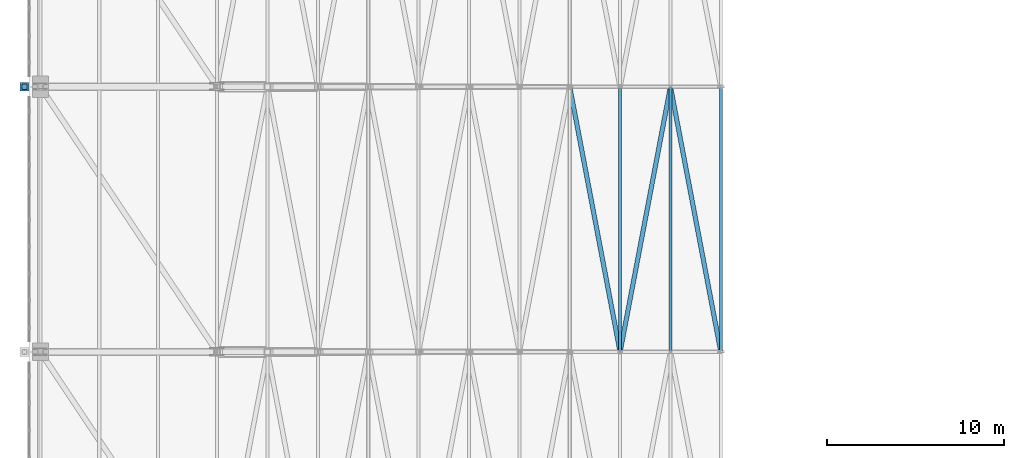
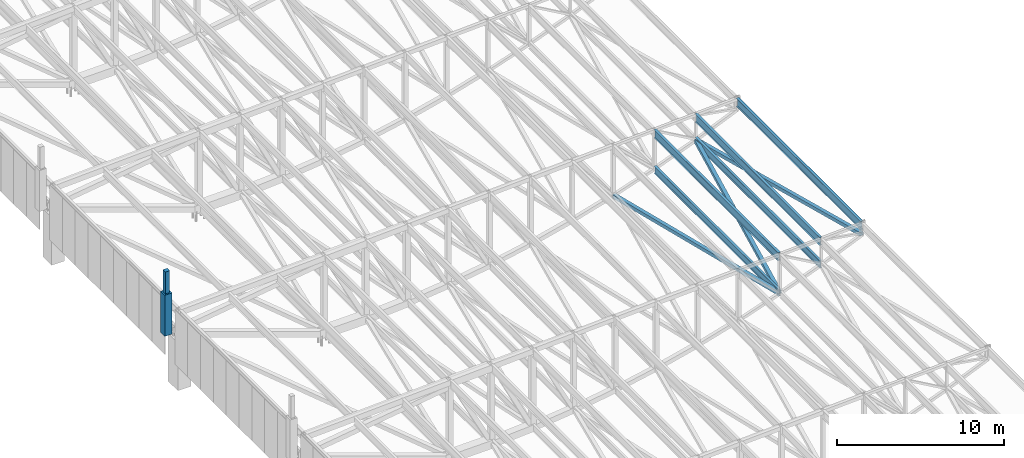
# One storey, part 35 of 278: 10 members.
"""IFC4 building model written with IfcOpenShell, lengths in metres."""

import ifcopenshell
import ifcopenshell.guid

model = None  # the IFC model being written
_history = None  # IfcOwnerHistory: only IFC2X3 demands one
_inside = {}  # id of a spatial element -> (the spatial element, [elements in it])
_under = {}  # id of a project, library or spatial element -> (it, [spatial elements below it])
_declared = {}  # id of a project -> (the project, [libraries it declares])
_typed = {}  # id of a type object -> (the type object, [elements of that type])
_made_of = {}  # id of a material, layer set ... -> (it, [elements and type objects made of it])


def new_model(schema):
    """Start an empty IFC model of exactly this schema.

    Asked for "IFC4X3", IfcOpenShell would pick the latest addendum, in which some entities
    have other attributes; the version numbers below select the first issue.
    IFC2X3 requires an IfcOwnerHistory on every rooted entity: one is made here for all.
    """
    global model, _history
    if schema == "IFC4X3":
        model = ifcopenshell.file(schema_version=(4, 3, 0, 0))
    else:
        model = ifcopenshell.file(schema=schema)
    _inside.clear()
    _under.clear()
    _declared.clear()
    _typed.clear()
    _made_of.clear()
    _history = None
    if model.schema == "IFC2X3":
        org = make("IfcOrganization", Name="unknown")
        user = make(
            "IfcPersonAndOrganization",
            ThePerson=make("IfcPerson", FamilyName="unknown"),
            TheOrganization=org,
        )
        app = make(
            "IfcApplication",
            ApplicationDeveloper=org,
            Version="unknown",
            ApplicationFullName="unknown",
            ApplicationIdentifier="unknown",
        )
        _history = make(
            "IfcOwnerHistory",
            OwningUser=user,
            OwningApplication=app,
            ChangeAction="ADDED",
            CreationDate=0,
        )
    return model


def make(cls, **values):
    """One entity of the class cls with the attributes given. An attribute that is None is left unset."""
    return model.create_entity(
        cls, **{name: value for name, value in values.items() if value is not None}
    )


def rooted(cls, **values):
    """An entity with a GlobalId (a new one), such as an element, a storey or a relation."""
    return make(cls, GlobalId=ifcopenshell.guid.new(), OwnerHistory=_history, **values)


def si_unit(unit_type, name, prefix=None):
    """IfcSIUnit, for example si_unit("LENGTHUNIT", "METRE", prefix="MILLI")."""
    return make("IfcSIUnit", UnitType=unit_type, Prefix=prefix, Name=name)


def assignment(units):
    """IfcUnitAssignment: the units of a project."""
    return None if units is None else make("IfcUnitAssignment", Units=units)


def point(xyz):
    """IfcCartesianPoint."""
    return None if xyz is None else make("IfcCartesianPoint", Coordinates=xyz)


def direction(xyz):
    """IfcDirection."""
    return None if xyz is None else make("IfcDirection", DirectionRatios=xyz)


def frame(location, z_axis=None, x_axis=None):
    """IfcAxis2Placement3D, a coordinate frame: its origin and axes. An axis left out is left unset."""
    return make(
        "IfcAxis2Placement3D",
        Location=point(location),
        Axis=direction(z_axis),
        RefDirection=direction(x_axis),
    )


def frame_2d(location, x_axis=None):
    """IfcAxis2Placement2D, a coordinate frame in the plane: its origin and x axis."""
    return make(
        "IfcAxis2Placement2D", Location=point(location), RefDirection=direction(x_axis)
    )


def origin():
    """The frame at (0, 0, 0) with its axes left unset."""
    return frame((0.0, 0.0, 0.0))


def origin_2d():
    """The frame at (0, 0) in the plane with its x axis left unset."""
    return frame_2d((0.0, 0.0))


def place(relative_to, where):
    """IfcLocalPlacement: puts the frame where relative to a parent placement (None: the world)."""
    return make(
        "IfcLocalPlacement", PlacementRelTo=relative_to, RelativePlacement=where
    )


def context(
    kind, dimensions, precision=None, world=None, true_north=None, identifier=None
):
    """IfcGeometricRepresentationContext, for example the 3D "Model" context."""
    return make(
        "IfcGeometricRepresentationContext",
        ContextIdentifier=identifier,
        ContextType=kind,
        CoordinateSpaceDimension=dimensions,
        Precision=precision,
        WorldCoordinateSystem=world,
        TrueNorth=true_north,
    )


def subcontext(parent, identifier, kind, view, scale=None):
    """IfcGeometricRepresentationSubContext, for example "Body" below "Model"."""
    return make(
        "IfcGeometricRepresentationSubContext",
        ContextIdentifier=identifier,
        ContextType=kind,
        ParentContext=parent,
        TargetScale=scale,
        TargetView=view,
    )


def project(units=None, contexts=None):
    """IfcProject with its units and contexts."""
    return rooted(
        "IfcProject",
        Name="project",
        RepresentationContexts=contexts,
        UnitsInContext=assignment(units),
    )


def spatial(cls, under=None, at=None, **own):
    """A site, building, storey or space (cls), placed at a placement, below another one or the project."""
    s = rooted(cls, ObjectPlacement=at, **own)
    if under is not None:
        _under.setdefault(under.id(), (under, []))[1].append(s)
    return s


def profile(cls, at=None, kind="AREA", **sizes):
    """A parametric profile (cls). Its sizes go by their IFC names, for example OverallWidth=200.0."""
    return make(cls, ProfileType=kind, Position=at, **sizes)


def rectangle(**sizes):
    """IfcRectangleProfileDef."""
    return profile("IfcRectangleProfileDef", **sizes)


def hollow_rectangle(**sizes):
    """IfcRectangleHollowProfileDef."""
    return profile("IfcRectangleHollowProfileDef", **sizes)


def i_section(**sizes):
    """IfcIShapeProfileDef."""
    return profile("IfcIShapeProfileDef", **sizes)


def extrude(swept, where, along, depth):
    """IfcExtrudedAreaSolid: the profile swept, set in the frame where, extruded along a direction by depth."""
    return make(
        "IfcExtrudedAreaSolid",
        SweptArea=swept,
        Position=where,
        ExtrudedDirection=direction(along),
        Depth=depth,
    )


def shape(context_of_items, identifier, shape_type, items):
    """IfcShapeRepresentation: the items that make up one representation, for example the "Body"."""
    return make(
        "IfcShapeRepresentation",
        ContextOfItems=context_of_items,
        RepresentationIdentifier=identifier,
        RepresentationType=shape_type,
        Items=items,
    )


def material(Name=None, Category=None):
    """IfcMaterial."""
    return make("IfcMaterial", Name=Name, Category=Category)


def material_profile(
    of_material, cross_section, Name=None, Category=None, Priority=None
):
    """IfcMaterialProfile: a cross section and its material."""
    return make(
        "IfcMaterialProfile",
        Name=Name,
        Material=of_material,
        Profile=cross_section,
        Priority=Priority,
        Category=Category,
    )


def profile_set(profiles, Name=None, composite=None):
    """IfcMaterialProfileSet."""
    return make(
        "IfcMaterialProfileSet",
        Name=Name,
        MaterialProfiles=profiles,
        CompositeProfile=composite,
    )


def made_of(thing, what):
    """Note that an element or type object is made of a material, layer set ...; save() writes the relation."""
    if what is not None:
        _made_of.setdefault(what.id(), (what, []))[1].append(thing)
    return thing


def type_object(cls, material=None, **own):
    """A type object (cls), such as IfcWallType, which elements share."""
    return made_of(rooted(cls, **own), material)


def element(
    cls,
    number,
    at=None,
    inside=None,
    cuts=None,
    type_object=None,
    material=None,
    context=None,
    identifier="Body",
    shape_type=None,
    held_by="IfcProductDefinitionShape",
    body=None,
    shapes=None,
    **own,
):
    """One element of the class cls, such as IfcWall. Its Tag is "e" and its number.

    at: its placement. inside: the storey or other place that contains it. cuts: it is an
    opening in that element (IfcRelVoidsElement). A single representation is given by context,
    identifier, shape_type and body (its items); several are given by shapes. held_by: the class
    of the entity that holds the representations. save() writes the other relations.
    """
    e = rooted(cls, Tag="e%d" % number, ObjectPlacement=at, **own)
    if body is not None:
        shapes = [shape(context, identifier, shape_type, body)]
    if shapes is not None:
        e.Representation = make(held_by, Representations=shapes)
    if inside is not None:
        _inside.setdefault(inside.id(), (inside, []))[1].append(e)
    if cuts is not None:
        rooted(
            "IfcRelVoidsElement", RelatingBuildingElement=cuts, RelatedOpeningElement=e
        )
    if type_object is not None:
        _typed.setdefault(type_object.id(), (type_object, []))[1].append(e)
    return made_of(e, material)


def aggregate(whole, parts):
    """IfcRelAggregates: a whole, such as a stair, and the parts it consists of."""
    return rooted("IfcRelAggregates", RelatingObject=whole, RelatedObjects=parts)


def save(model, path):
    """Write the relations noted so far, then the file.

    IfcRelAggregates (storeys below a building ...), IfcRelContainedInSpatialStructure (elements
    in a storey), IfcRelDefinesByType, IfcRelAssociatesMaterial and IfcRelDeclares: one each for
    every whole, place, type object, material and project.
    """
    for whole, parts in _under.values():
        aggregate(whole, parts)
    for where, things in _inside.values():
        rooted(
            "IfcRelContainedInSpatialStructure",
            RelatedElements=things,
            RelatingStructure=where,
        )
    for kind, things in _typed.values():
        rooted("IfcRelDefinesByType", RelatedObjects=things, RelatingType=kind)
    for what, things in _made_of.values():
        rooted("IfcRelAssociatesMaterial", RelatedObjects=things, RelatingMaterial=what)
    for by, libraries in _declared.values():
        rooted("IfcRelDeclares", RelatingContext=by, RelatedDefinitions=libraries)
    model.write(path)


model = new_model("IFC4")

# Units and contexts
model_context = context("Model", 3, precision=1e-05, world=origin(), true_north=direction((0.0, 1.0)))
body_context = subcontext(model_context, "Body", "Model", "MODEL_VIEW")
ifc_project = project(units=[si_unit("LENGTHUNIT", "METRE"), si_unit("AREAUNIT", "SQUARE_METRE"), si_unit("VOLUMEUNIT", "CUBIC_METRE"), si_unit("PLANEANGLEUNIT", "RADIAN"), si_unit("MASSUNIT", "GRAM", prefix="KILO")], contexts=[model_context])

# Site, building, storey
site_placement = place(None, origin())
site = spatial("IfcSite", under=ifc_project, at=site_placement, CompositionType="ELEMENT")
building_placement = place(site_placement, origin())
building = spatial("IfcBuilding", under=site, at=building_placement, Name="Ogive Plaza Stadium", CompositionType="ELEMENT")
storey_placement = place(building_placement, frame((0.0, 0.0, 29.0)))
storey = spatial("IfcBuildingStorey", under=building, at=storey_placement, Name="Roof", CompositionType="ELEMENT", Elevation=29.0)

# Members
ifc_material_1 = material(Name="Concrete C45/55 precast", Category="concrete")
ifc_material_profile_1 = material_profile(ifc_material_1, rectangle(XDim=0.5, YDim=0.5, at=origin_2d()), Name="RC 500x500")
ifc_profile_set_1 = profile_set([ifc_material_profile_1], Name="Concrete C45/55 precast")
member_type_1 = type_object("IfcMemberType", Name="Precast pinnacle 500x500", PredefinedType="POST", material=ifc_profile_set_1)
member_1_placement = place(storey_placement, frame((-84.89990234375, -7.5, 4.0), z_axis=(0.0, 0.0, 1.0), x_axis=(0.0, -1.0, 0.0)))
element("IfcMember", 1, at=member_1_placement, inside=storey, type_object=member_type_1, Name="PINNACLE R24", PredefinedType="POST", context=body_context, shape_type="SweptSolid", body=[
    extrude(rectangle(XDim=0.5, YDim=0.5, at=origin_2d()), origin(), (0.0, 0.0, 1.0), 3.0),
])
ifc_material_2 = material(Name="Concrete C45/55 precast", Category="concrete")
ifc_material_profile_2 = material_profile(ifc_material_2, rectangle(XDim=0.300048828125, YDim=0.300048828125, at=origin_2d()), Name="RC 300x300")
ifc_profile_set_2 = profile_set([ifc_material_profile_2], Name="Concrete C45/55 precast")
member_type_2 = type_object("IfcMemberType", Name="Precast spire 300x300", PredefinedType="MEMBER", material=ifc_profile_set_2)
member_2_placement = place(storey_placement, frame((-84.89990234375, -7.5, 7.0), z_axis=(0.0, 0.0, 1.0), x_axis=(0.0, -1.0, 0.0)))
element("IfcMember", 2, at=member_2_placement, inside=storey, type_object=member_type_2, Name="SPIRE R24", PredefinedType="MEMBER", context=body_context, shape_type="SweptSolid", body=[
    extrude(rectangle(XDim=0.300048828125, YDim=0.300048828125, at=origin_2d()), origin(), (0.0, 0.0, 1.0), 1.60009765625),
])
ifc_material_3 = material(Name="Steel ASTM A500 Grade C", Category="steel")
ifc_material_profile_3 = material_profile(ifc_material_3, hollow_rectangle(XDim=0.25390625, YDim=0.25390625, WallThickness=0.0087890625, at=origin_2d()), Name="HSS10X10X3/8")
ifc_profile_set_3 = profile_set([ifc_material_profile_3], Name="Steel ASTM A500 Grade C")
member_type_3 = type_object("IfcMemberType", Name="Roof plan brace HSS10X10X3/8", PredefinedType="BRACE", material=ifc_profile_set_3)
member_3_placement = place(storey_placement, frame((-45.513427734375, -22.4296875, 6.520751953125), z_axis=(-0.1860644689, 0.979300227871, -0.079693645318), x_axis=(-0.982424925297, -0.186658153196, 0.0)))
element("IfcMember", 3, at=member_3_placement, inside=storey, type_object=member_type_3, Name="ROOF BRACE B23 1", PredefinedType="BRACE", context=body_context, shape_type="SweptSolid", body=[
    extrude(hollow_rectangle(XDim=0.25390625, YDim=0.25390625, WallThickness=0.0087890625, at=origin_2d()), origin(), (0.0, 0.0, 1.0), 15.173583984375),
])
member_4_placement = place(storey_placement, frame((-48.36328125, -7.5703125, 5.30078125), z_axis=(-0.18619699352, -0.979917118172, -0.071366106221), x_axis=(0.982422109195, -0.186672974385, 0.0)))
element("IfcMember", 4, at=member_4_placement, inside=storey, type_object=member_type_3, Name="ROOF BRACE B23 2", PredefinedType="BRACE", context=body_context, shape_type="SweptSolid", body=[
    extrude(hollow_rectangle(XDim=0.25390625, YDim=0.25390625, WallThickness=0.0087890625, at=origin_2d()), origin(), (0.0, 0.0, 1.0), 15.1376953125),
])
member_5_placement = place(storey_placement, frame((-51.21826171875, -22.404052734375, 4.20751953125), z_axis=(-0.186305134019, 0.980575459807, -0.061336487198), x_axis=(-0.982425223956, -0.186656581279, 0.0)))
element("IfcMember", 5, at=member_5_placement, inside=storey, type_object=member_type_3, Name="ROOF BRACE B23 3", PredefinedType="BRACE", context=body_context, shape_type="SweptSolid", body=[
    extrude(hollow_rectangle(XDim=0.25390625, YDim=0.25390625, WallThickness=0.0087890625, at=origin_2d()), origin(), (0.0, 0.0, 1.0), 15.1015625),
])
ifc_material_4 = material(Name="Steel ASTM A992 Grade 50", Category="steel")
ifc_material_profile_4 = material_profile(ifc_material_4, i_section(OverallWidth=0.1650390625, OverallDepth=0.524658203125, WebThickness=0.0087890625, FlangeThickness=0.011474609375, at=origin_2d()), Name="W21X44")
ifc_profile_set_4 = profile_set([ifc_material_profile_4], Name="Steel ASTM A992 Grade 50")
member_type_4 = type_object("IfcMemberType", Name="Roof plan strut W21X44", PredefinedType="STRUT", material=ifc_profile_set_4)
member_6_placement = place(storey_placement, frame((-48.35009765625, -22.453857421875, 5.305908203125), z_axis=(0.0, 1.0, 0.0), x_axis=(-1.0, 0.0, 0.0)))
element("IfcMember", 6, at=member_6_placement, inside=storey, type_object=member_type_4, Name="ROOF STRUT B23 1", PredefinedType="STRUT", context=body_context, shape_type="SweptSolid", body=[
    extrude(i_section(OverallWidth=0.1650390625, OverallDepth=0.524658203125, WebThickness=0.0087890625, FlangeThickness=0.011474609375, at=origin_2d()), origin(), (0.0, 0.0, 1.0), 14.90771484375),
])
member_7_placement = place(storey_placement, frame((-51.199951171875, -22.428466796875, 4.213623046875), z_axis=(0.0, 1.0, 0.0), x_axis=(-1.0, 0.0, 0.0)))
element("IfcMember", 7, at=member_7_placement, inside=storey, type_object=member_type_4, Name="ROOF STRUT B23 2", PredefinedType="STRUT", context=body_context, shape_type="SweptSolid", body=[
    extrude(i_section(OverallWidth=0.1650390625, OverallDepth=0.524658203125, WebThickness=0.0087890625, FlangeThickness=0.011474609375, at=origin_2d()), origin(), (0.0, 0.0, 1.0), 14.85693359375),
])
ifc_material_5 = material(Name="Steel ASTM A992 Grade 50", Category="steel")
ifc_material_profile_5 = material_profile(ifc_material_5, i_section(OverallWidth=0.177978515625, OverallDepth=0.5986328125, WebThickness=0.010009765625, FlangeThickness=0.012939453125, at=origin_2d()), Name="W24X55")
ifc_profile_set_5 = profile_set([ifc_material_profile_5], Name="Steel ASTM A992 Grade 50")
member_type_5 = type_object("IfcMemberType", Name="Roof purlin W24X55", PredefinedType="PURLIN", material=ifc_profile_set_5)
member_8_placement = place(storey_placement, frame((-48.35009765625, -22.453857421875, 6.983154296875), z_axis=(0.0, 1.0, 0.0), x_axis=(-1.0, 0.0, 0.0)))
element("IfcMember", 8, at=member_8_placement, inside=storey, type_object=member_type_5, Name="ROOF PURLIN B23 1", PredefinedType="PURLIN", context=body_context, shape_type="SweptSolid", body=[
    extrude(i_section(OverallWidth=0.177978515625, OverallDepth=0.5986328125, WebThickness=0.010009765625, FlangeThickness=0.012939453125, at=origin_2d()), origin(), (0.0, 0.0, 1.0), 14.90771484375),
])
member_9_placement = place(storey_placement, frame((-51.199951171875, -22.428466796875, 6.840576171875), z_axis=(0.0, 1.0, 0.0), x_axis=(-1.0, 0.0, 0.0)))
element("IfcMember", 9, at=member_9_placement, inside=storey, type_object=member_type_5, Name="ROOF PURLIN B23 2", PredefinedType="PURLIN", context=body_context, shape_type="SweptSolid", body=[
    extrude(i_section(OverallWidth=0.177978515625, OverallDepth=0.5986328125, WebThickness=0.010009765625, FlangeThickness=0.012939453125, at=origin_2d()), origin(), (0.0, 0.0, 1.0), 14.85693359375),
])
ifc_material_6 = material(Name="Steel ASTM A992 Grade 50", Category="steel")
ifc_material_profile_6 = material_profile(ifc_material_6, i_section(OverallWidth=0.177978515625, OverallDepth=0.5986328125, WebThickness=0.010009765625, FlangeThickness=0.012939453125, at=origin_2d()), Name="W24X55")
ifc_profile_set_6 = profile_set([ifc_material_profile_6], Name="Steel ASTM A992 Grade 50")
member_type_6 = type_object("IfcMemberType", Name="Roof tip ring beam W24X55", PredefinedType="MEMBER", material=ifc_profile_set_6)
member_10_placement = place(storey_placement, frame((-45.5, -22.453857421875, 7.125732421875), z_axis=(0.0, 1.0, 0.0), x_axis=(-1.0, 0.0, 0.0)))
element("IfcMember", 10, at=member_10_placement, inside=storey, type_object=member_type_6, Name="RING BEAM B23", PredefinedType="MEMBER", context=body_context, shape_type="SweptSolid", body=[
    extrude(i_section(OverallWidth=0.177978515625, OverallDepth=0.5986328125, WebThickness=0.010009765625, FlangeThickness=0.012939453125, at=origin_2d()), origin(), (0.0, 0.0, 1.0), 14.90771484375),
])

save(model, "model.ifc")
